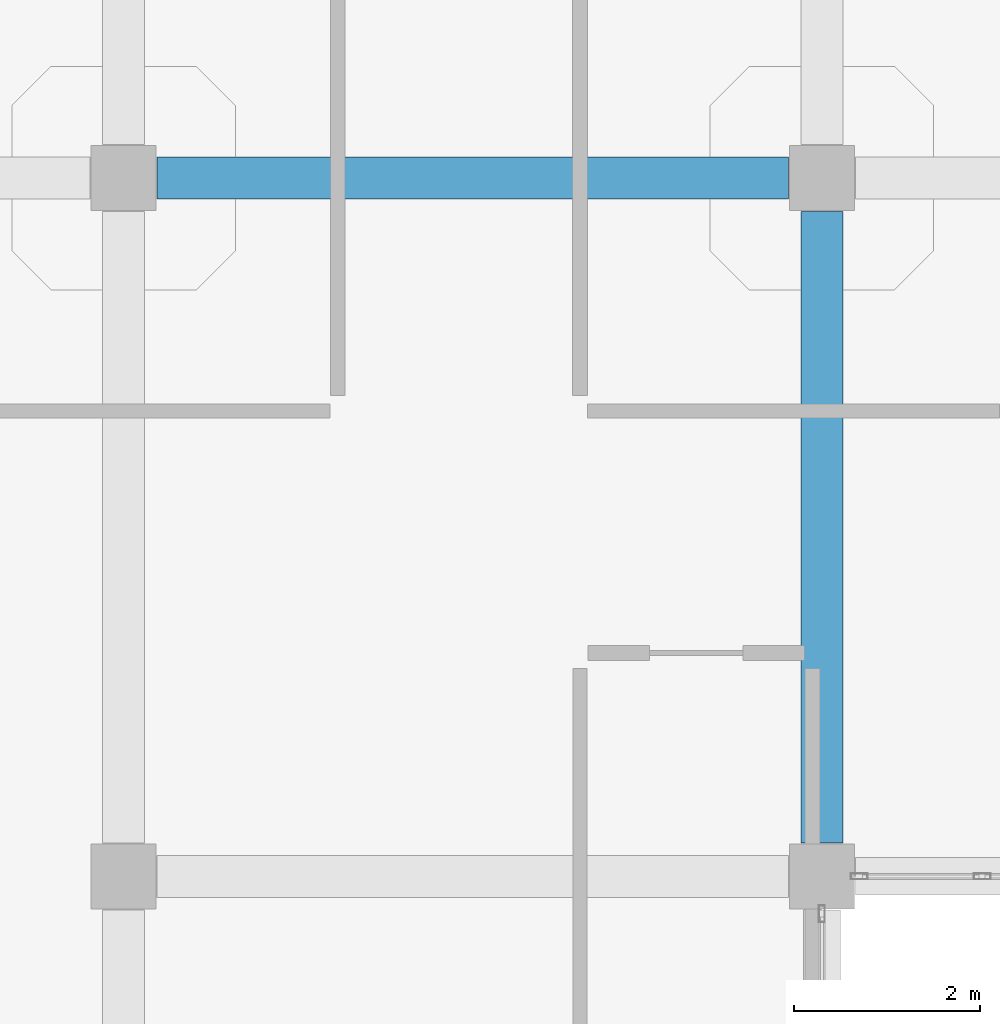
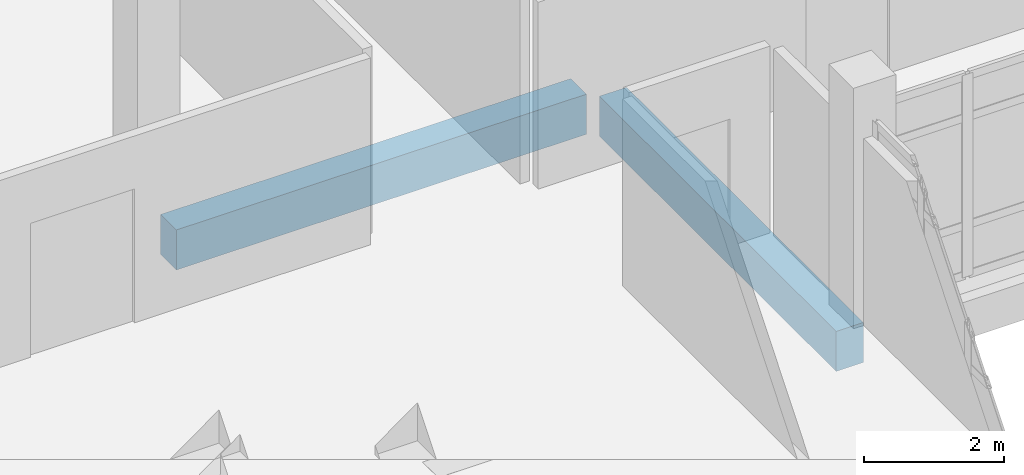
# One storey, part 34 of 164: 2 beams.
"""IFC4 building model written with IfcOpenShell, lengths in metres."""

from ifc_helpers import new_model, si_unit, direction, frame, origin, origin_2d, place, context, subcontext, project, spatial, rectangle, extrude, material, material_profile, profile_set, type_object, element, save


model = new_model("IFC4")

# Units and contexts
model_context = context("Model", 3, precision=1e-05, world=origin(), true_north=direction((0.0, 1.0)))
body_context = subcontext(model_context, "Body", "Model", "MODEL_VIEW")
ifc_project = project(units=[si_unit("LENGTHUNIT", "METRE"), si_unit("AREAUNIT", "SQUARE_METRE"), si_unit("VOLUMEUNIT", "CUBIC_METRE"), si_unit("PLANEANGLEUNIT", "RADIAN"), si_unit("MASSUNIT", "GRAM", prefix="KILO")], contexts=[model_context])

# Site, building, storey
site_placement = place(None, origin())
site = spatial("IfcSite", under=ifc_project, at=site_placement, CompositionType="ELEMENT")
building_placement = place(site_placement, origin())
building = spatial("IfcBuilding", under=site, at=building_placement, Name="Mawjan Specialist Oncology Clinic", CompositionType="ELEMENT")
storey_placement = place(building_placement, frame((0.0, 0.0, 5.0)))
storey = spatial("IfcBuildingStorey", under=building, at=storey_placement, Name="L01", CompositionType="ELEMENT", Elevation=5.0)

# Beams
ifc_material = material(Name="Concrete C40/50", Category="concrete")
ifc_material_profile = material_profile(ifc_material, rectangle(XDim=0.449951171875, YDim=0.699951171875, at=origin_2d()), Name="RC BM 450x700", Category="concrete")
ifc_profile_set = profile_set([ifc_material_profile], Name="Concrete C40/50")
beam_type = type_object("IfcBeamType", Name="BM-450x700", PredefinedType="BEAM", material=ifc_profile_set)
beam_1_placement = place(storey_placement, frame((7.860107421875, 38.300048828125, -0.8701171875), z_axis=(1.0, 0.0, 0.0), x_axis=(0.0, 1.0, 0.0)))
element("IfcBeam", 1, at=beam_1_placement, inside=storey, type_object=beam_type, Name="L01 Collector Beam BM-L01-0251", PredefinedType="BEAM", context=body_context, shape_type="SweptSolid", body=[
    extrude(rectangle(XDim=0.449951171875, YDim=0.699951171875, at=origin_2d()), origin(), (0.0, 0.0, 1.0), 6.77978515625),
])
beam_2_placement = place(storey_placement, frame((15.0, 31.159912109375, -0.8701171875), z_axis=(0.0, 1.0, 0.0), x_axis=(-1.0, 0.0, 0.0)))
element("IfcBeam", 2, at=beam_2_placement, inside=storey, type_object=beam_type, Name="L01 Collector Beam BM-L01-0440", PredefinedType="BEAM", context=body_context, shape_type="SweptSolid", body=[
    extrude(rectangle(XDim=0.449951171875, YDim=0.699951171875, at=origin_2d()), origin(), (0.0, 0.0, 1.0), 6.780029296875),
])

save(model, "model.ifc")
